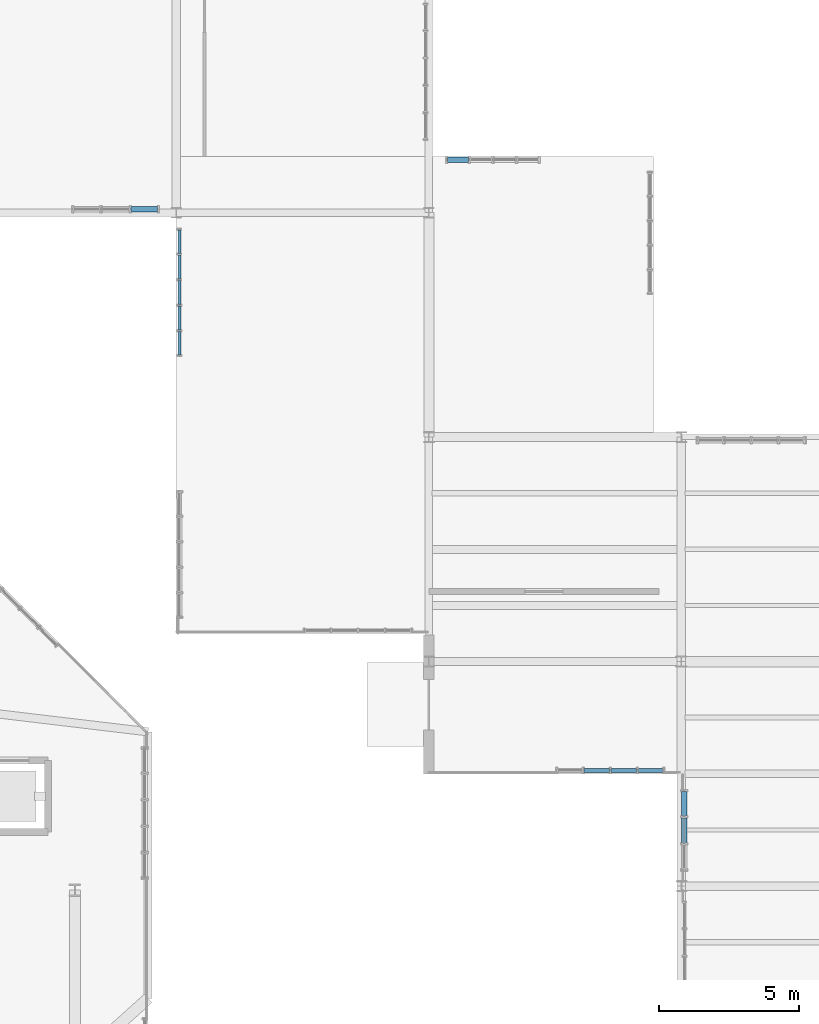
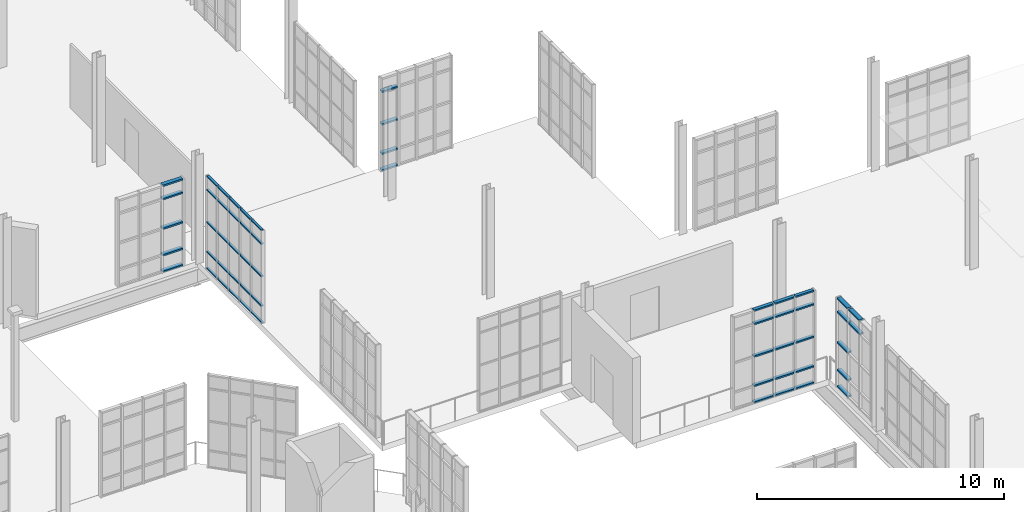
# One storey, part 129 of 189: 56 members, 5 elements without a shape of their own.
"""IFC4 building model written with IfcOpenShell, lengths in metres."""

from ifc_helpers import new_model, si_unit, direction, frame, origin, origin_2d, place, context, subcontext, project, spatial, hollow_rectangle, extrude, material, layer, layer_set, material_profile, profile_set, type_object, element, aggregate, save


model = new_model("IFC4")

# Units and contexts
model_context = context("Model", 3, precision=1e-05, world=origin(), true_north=direction((0.0, 1.0)))
body_context = subcontext(model_context, "Body", "Model", "MODEL_VIEW")
ifc_project = project(units=[si_unit("LENGTHUNIT", "METRE"), si_unit("AREAUNIT", "SQUARE_METRE"), si_unit("VOLUMEUNIT", "CUBIC_METRE"), si_unit("PLANEANGLEUNIT", "RADIAN"), si_unit("MASSUNIT", "GRAM", prefix="KILO"), si_unit("THERMODYNAMICTEMPERATUREUNIT", "KELVIN"), si_unit("POWERUNIT", "WATT")], contexts=[model_context])

# Site, building, storey
site_placement = place(None, origin())
site = spatial("IfcSite", under=ifc_project, at=site_placement, CompositionType="ELEMENT")
building_placement = place(site_placement, origin())
building = spatial("IfcBuilding", under=site, at=building_placement, Name="Zelmaris Science Centre", CompositionType="ELEMENT")
storey_placement = place(building_placement, origin())
storey = spatial("IfcBuildingStorey", under=building, at=storey_placement, Name="L00", CompositionType="ELEMENT", Elevation=0.0)

# Curtain wall, members
ifc_material = material(Name="Anodised architectural aluminium 6063-T6", Category="aluminium")
ifc_layer_1 = layer(ifc_material, 0.219970703125, Name="Anodised architectural aluminium 6063-T6")
ifc_layer_set_1 = layer_set([ifc_layer_1], Name="Anodised architectural aluminium 6063-T6")
curtain_wall_type_1 = type_object("IfcCurtainWallType", Name="Curtain Wall CW-04", PredefinedType="USERDEFINED", material=ifc_layer_set_1)
curtain_wall_1_placement = place(storey_placement, origin())
curtain_wall_1 = element("IfcCurtainWall", 1, at=curtain_wall_1_placement, inside=storey, type_object=curtain_wall_type_1, Name="L00 Unitised curtain wall 76", ObjectType="GLAZED CURTAIN WALL", PredefinedType="USERDEFINED")
ifc_material_profile_1 = material_profile(ifc_material, hollow_rectangle(XDim=0.06005859375, YDim=0.110107421875, WallThickness=0.0029296875, at=origin_2d()), Name="ALU-TRN-60X110")
ifc_profile_set_1 = profile_set([ifc_material_profile_1], Name="Anodised architectural aluminium 6063-T6")
member_type_1 = type_object("IfcMemberType", Name="ALU-TRN-60X110", PredefinedType="USERDEFINED", material=ifc_profile_set_1)
member_1_placement = place(storey_placement, frame((99.115234375, 58.930908203125, 0.010986328125), z_axis=(-0.000293427217, 0.99999995695, 0.0), x_axis=(0.0, 0.0, 1.0)))
member_1 = element("IfcMember", 2, at=member_1_placement, type_object=member_type_1, Name="CW-04 transom 1.1", ObjectType="TRANSOM", PredefinedType="USERDEFINED", context=body_context, shape_type="SweptSolid", body=[
    extrude(hollow_rectangle(XDim=0.06005859375, YDim=0.110107421875, WallThickness=0.0029296875, at=origin_2d()), origin(), (0.0, 0.0, 1.0), 0.83203125),
])
member_2_placement = place(storey_placement, frame((99.115234375, 58.930908203125, 0.8349609375), z_axis=(-0.000293427217, 0.99999995695, 0.0), x_axis=(0.0, 0.0, 1.0)))
member_2 = element("IfcMember", 3, at=member_2_placement, type_object=member_type_1, Name="CW-04 transom 1.2", ObjectType="TRANSOM", PredefinedType="USERDEFINED", context=body_context, shape_type="SweptSolid", body=[
    extrude(hollow_rectangle(XDim=0.06005859375, YDim=0.110107421875, WallThickness=0.0029296875, at=origin_2d()), origin(), (0.0, 0.0, 1.0), 0.83203125),
])
member_3_placement = place(storey_placement, frame((99.115234375, 58.930908203125, 2.29248046875), z_axis=(-0.000293427217, 0.99999995695, 0.0), x_axis=(0.0, 0.0, 1.0)))
member_3 = element("IfcMember", 4, at=member_3_placement, type_object=member_type_1, Name="CW-04 transom 1.3", ObjectType="TRANSOM", PredefinedType="USERDEFINED", context=body_context, shape_type="SweptSolid", body=[
    extrude(hollow_rectangle(XDim=0.06005859375, YDim=0.110107421875, WallThickness=0.0029296875, at=origin_2d()), origin(), (0.0, 0.0, 1.0), 0.83203125),
])
member_4_placement = place(storey_placement, frame((99.115234375, 58.930908203125, 3.89990234375), z_axis=(-0.000293427217, 0.99999995695, 0.0), x_axis=(0.0, 0.0, 1.0)))
member_4 = element("IfcMember", 5, at=member_4_placement, type_object=member_type_1, Name="CW-04 transom 1.4", ObjectType="TRANSOM", PredefinedType="USERDEFINED", context=body_context, shape_type="SweptSolid", body=[
    extrude(hollow_rectangle(XDim=0.06005859375, YDim=0.110107421875, WallThickness=0.0029296875, at=origin_2d()), origin(), (0.0, 0.0, 1.0), 0.83203125),
])
member_5_placement = place(storey_placement, frame((99.115234375, 58.930908203125, 4.573974609375), z_axis=(-0.000293427217, 0.99999995695, 0.0), x_axis=(0.0, 0.0, 1.0)))
member_5 = element("IfcMember", 6, at=member_5_placement, type_object=member_type_1, Name="CW-04 transom 1.5", ObjectType="TRANSOM", PredefinedType="USERDEFINED", context=body_context, shape_type="SweptSolid", body=[
    extrude(hollow_rectangle(XDim=0.06005859375, YDim=0.110107421875, WallThickness=0.0029296875, at=origin_2d()), origin(), (0.0, 0.0, 1.0), 0.83203125),
])
member_6_placement = place(storey_placement, frame((99.11474609375, 59.81494140625, 0.010986328125), z_axis=(-0.00028457597, 0.999999959508, 0.0), x_axis=(0.0, 0.0, 1.0)))
member_6 = element("IfcMember", 7, at=member_6_placement, type_object=member_type_1, Name="CW-04 transom 2.1", ObjectType="TRANSOM", PredefinedType="USERDEFINED", context=body_context, shape_type="SweptSolid", body=[
    extrude(hollow_rectangle(XDim=0.06005859375, YDim=0.110107421875, WallThickness=0.0029296875, at=origin_2d()), origin(), (0.0, 0.0, 1.0), 0.85791015625),
])
member_7_placement = place(storey_placement, frame((99.11474609375, 59.81494140625, 0.8349609375), z_axis=(-0.00028457597, 0.999999959508, 0.0), x_axis=(0.0, 0.0, 1.0)))
member_7 = element("IfcMember", 8, at=member_7_placement, type_object=member_type_1, Name="CW-04 transom 2.2", ObjectType="TRANSOM", PredefinedType="USERDEFINED", context=body_context, shape_type="SweptSolid", body=[
    extrude(hollow_rectangle(XDim=0.06005859375, YDim=0.110107421875, WallThickness=0.0029296875, at=origin_2d()), origin(), (0.0, 0.0, 1.0), 0.85791015625),
])
member_8_placement = place(storey_placement, frame((99.11474609375, 59.81494140625, 2.29248046875), z_axis=(-0.00028457597, 0.999999959508, 0.0), x_axis=(0.0, 0.0, 1.0)))
member_8 = element("IfcMember", 9, at=member_8_placement, type_object=member_type_1, Name="CW-04 transom 2.3", ObjectType="TRANSOM", PredefinedType="USERDEFINED", context=body_context, shape_type="SweptSolid", body=[
    extrude(hollow_rectangle(XDim=0.06005859375, YDim=0.110107421875, WallThickness=0.0029296875, at=origin_2d()), origin(), (0.0, 0.0, 1.0), 0.85791015625),
])
member_9_placement = place(storey_placement, frame((99.11474609375, 59.81494140625, 3.89990234375), z_axis=(-0.00028457597, 0.999999959508, 0.0), x_axis=(0.0, 0.0, 1.0)))
member_9 = element("IfcMember", 10, at=member_9_placement, type_object=member_type_1, Name="CW-04 transom 2.4", ObjectType="TRANSOM", PredefinedType="USERDEFINED", context=body_context, shape_type="SweptSolid", body=[
    extrude(hollow_rectangle(XDim=0.06005859375, YDim=0.110107421875, WallThickness=0.0029296875, at=origin_2d()), origin(), (0.0, 0.0, 1.0), 0.85791015625),
])
member_10_placement = place(storey_placement, frame((99.11474609375, 59.81494140625, 4.573974609375), z_axis=(-0.00028457597, 0.999999959508, 0.0), x_axis=(0.0, 0.0, 1.0)))
member_10 = element("IfcMember", 11, at=member_10_placement, type_object=member_type_1, Name="CW-04 transom 2.5", ObjectType="TRANSOM", PredefinedType="USERDEFINED", context=body_context, shape_type="SweptSolid", body=[
    extrude(hollow_rectangle(XDim=0.06005859375, YDim=0.110107421875, WallThickness=0.0029296875, at=origin_2d()), origin(), (0.0, 0.0, 1.0), 0.85791015625),
])
member_11_placement = place(storey_placement, frame((99.114501953125, 60.724853515625, 0.010986328125), z_axis=(-0.000569313884, 0.999999837941, 0.0), x_axis=(0.0, 0.0, 1.0)))
member_11 = element("IfcMember", 12, at=member_11_placement, type_object=member_type_1, Name="CW-04 transom 3.1", ObjectType="TRANSOM", PredefinedType="USERDEFINED", context=body_context, shape_type="SweptSolid", body=[
    extrude(hollow_rectangle(XDim=0.06005859375, YDim=0.110107421875, WallThickness=0.0029296875, at=origin_2d()), origin(), (0.0, 0.0, 1.0), 0.857666015625),
])
member_12_placement = place(storey_placement, frame((99.114501953125, 60.724853515625, 0.8349609375), z_axis=(-0.000569313884, 0.999999837941, 0.0), x_axis=(0.0, 0.0, 1.0)))
member_12 = element("IfcMember", 13, at=member_12_placement, type_object=member_type_1, Name="CW-04 transom 3.2", ObjectType="TRANSOM", PredefinedType="USERDEFINED", context=body_context, shape_type="SweptSolid", body=[
    extrude(hollow_rectangle(XDim=0.06005859375, YDim=0.110107421875, WallThickness=0.0029296875, at=origin_2d()), origin(), (0.0, 0.0, 1.0), 0.857666015625),
])
member_13_placement = place(storey_placement, frame((99.114501953125, 60.724853515625, 2.29248046875), z_axis=(-0.000569313884, 0.999999837941, 0.0), x_axis=(0.0, 0.0, 1.0)))
member_13 = element("IfcMember", 14, at=member_13_placement, type_object=member_type_1, Name="CW-04 transom 3.3", ObjectType="TRANSOM", PredefinedType="USERDEFINED", context=body_context, shape_type="SweptSolid", body=[
    extrude(hollow_rectangle(XDim=0.06005859375, YDim=0.110107421875, WallThickness=0.0029296875, at=origin_2d()), origin(), (0.0, 0.0, 1.0), 0.857666015625),
])
member_14_placement = place(storey_placement, frame((99.114501953125, 60.724853515625, 3.89990234375), z_axis=(-0.000569313884, 0.999999837941, 0.0), x_axis=(0.0, 0.0, 1.0)))
member_14 = element("IfcMember", 15, at=member_14_placement, type_object=member_type_1, Name="CW-04 transom 3.4", ObjectType="TRANSOM", PredefinedType="USERDEFINED", context=body_context, shape_type="SweptSolid", body=[
    extrude(hollow_rectangle(XDim=0.06005859375, YDim=0.110107421875, WallThickness=0.0029296875, at=origin_2d()), origin(), (0.0, 0.0, 1.0), 0.857666015625),
])
member_15_placement = place(storey_placement, frame((99.114501953125, 60.724853515625, 4.573974609375), z_axis=(-0.000569313884, 0.999999837941, 0.0), x_axis=(0.0, 0.0, 1.0)))
member_15 = element("IfcMember", 16, at=member_15_placement, type_object=member_type_1, Name="CW-04 transom 3.5", ObjectType="TRANSOM", PredefinedType="USERDEFINED", context=body_context, shape_type="SweptSolid", body=[
    extrude(hollow_rectangle(XDim=0.06005859375, YDim=0.110107421875, WallThickness=0.0029296875, at=origin_2d()), origin(), (0.0, 0.0, 1.0), 0.857666015625),
])
member_16_placement = place(storey_placement, frame((99.114013671875, 61.634521484375, 0.010986328125), z_axis=(-0.000569151871, 0.999999838033, 0.0), x_axis=(0.0, 0.0, 1.0)))
member_16 = element("IfcMember", 17, at=member_16_placement, type_object=member_type_1, Name="CW-04 transom 4.1", ObjectType="TRANSOM", PredefinedType="USERDEFINED", context=body_context, shape_type="SweptSolid", body=[
    extrude(hollow_rectangle(XDim=0.06005859375, YDim=0.110107421875, WallThickness=0.0029296875, at=origin_2d()), origin(), (0.0, 0.0, 1.0), 0.85791015625),
])
member_17_placement = place(storey_placement, frame((99.114013671875, 61.634521484375, 0.8349609375), z_axis=(-0.000569151871, 0.999999838033, 0.0), x_axis=(0.0, 0.0, 1.0)))
member_17 = element("IfcMember", 18, at=member_17_placement, type_object=member_type_1, Name="CW-04 transom 4.2", ObjectType="TRANSOM", PredefinedType="USERDEFINED", context=body_context, shape_type="SweptSolid", body=[
    extrude(hollow_rectangle(XDim=0.06005859375, YDim=0.110107421875, WallThickness=0.0029296875, at=origin_2d()), origin(), (0.0, 0.0, 1.0), 0.85791015625),
])
member_18_placement = place(storey_placement, frame((99.114013671875, 61.634521484375, 2.29248046875), z_axis=(-0.000569151871, 0.999999838033, 0.0), x_axis=(0.0, 0.0, 1.0)))
member_18 = element("IfcMember", 19, at=member_18_placement, type_object=member_type_1, Name="CW-04 transom 4.3", ObjectType="TRANSOM", PredefinedType="USERDEFINED", context=body_context, shape_type="SweptSolid", body=[
    extrude(hollow_rectangle(XDim=0.06005859375, YDim=0.110107421875, WallThickness=0.0029296875, at=origin_2d()), origin(), (0.0, 0.0, 1.0), 0.85791015625),
])
member_19_placement = place(storey_placement, frame((99.114013671875, 61.634521484375, 3.89990234375), z_axis=(-0.000569151871, 0.999999838033, 0.0), x_axis=(0.0, 0.0, 1.0)))
member_19 = element("IfcMember", 20, at=member_19_placement, type_object=member_type_1, Name="CW-04 transom 4.4", ObjectType="TRANSOM", PredefinedType="USERDEFINED", context=body_context, shape_type="SweptSolid", body=[
    extrude(hollow_rectangle(XDim=0.06005859375, YDim=0.110107421875, WallThickness=0.0029296875, at=origin_2d()), origin(), (0.0, 0.0, 1.0), 0.85791015625),
])
member_20_placement = place(storey_placement, frame((99.114013671875, 61.634521484375, 4.573974609375), z_axis=(-0.000569151871, 0.999999838033, 0.0), x_axis=(0.0, 0.0, 1.0)))
member_20 = element("IfcMember", 21, at=member_20_placement, type_object=member_type_1, Name="CW-04 transom 4.5", ObjectType="TRANSOM", PredefinedType="USERDEFINED", context=body_context, shape_type="SweptSolid", body=[
    extrude(hollow_rectangle(XDim=0.06005859375, YDim=0.110107421875, WallThickness=0.0029296875, at=origin_2d()), origin(), (0.0, 0.0, 1.0), 0.85791015625),
])
member_21_placement = place(storey_placement, frame((99.113525390625, 62.54443359375, 0.010986328125), z_axis=(-0.000293427217, 0.99999995695, 0.0), x_axis=(0.0, 0.0, 1.0)))
member_21 = element("IfcMember", 22, at=member_21_placement, type_object=member_type_1, Name="CW-04 transom 5.1", ObjectType="TRANSOM", PredefinedType="USERDEFINED", context=body_context, shape_type="SweptSolid", body=[
    extrude(hollow_rectangle(XDim=0.06005859375, YDim=0.110107421875, WallThickness=0.0029296875, at=origin_2d()), origin(), (0.0, 0.0, 1.0), 0.83203125),
])
member_22_placement = place(storey_placement, frame((99.113525390625, 62.54443359375, 0.8349609375), z_axis=(-0.000293427217, 0.99999995695, 0.0), x_axis=(0.0, 0.0, 1.0)))
member_22 = element("IfcMember", 23, at=member_22_placement, type_object=member_type_1, Name="CW-04 transom 5.2", ObjectType="TRANSOM", PredefinedType="USERDEFINED", context=body_context, shape_type="SweptSolid", body=[
    extrude(hollow_rectangle(XDim=0.06005859375, YDim=0.110107421875, WallThickness=0.0029296875, at=origin_2d()), origin(), (0.0, 0.0, 1.0), 0.83203125),
])
member_23_placement = place(storey_placement, frame((99.113525390625, 62.54443359375, 2.29248046875), z_axis=(-0.000293427217, 0.99999995695, 0.0), x_axis=(0.0, 0.0, 1.0)))
member_23 = element("IfcMember", 24, at=member_23_placement, type_object=member_type_1, Name="CW-04 transom 5.3", ObjectType="TRANSOM", PredefinedType="USERDEFINED", context=body_context, shape_type="SweptSolid", body=[
    extrude(hollow_rectangle(XDim=0.06005859375, YDim=0.110107421875, WallThickness=0.0029296875, at=origin_2d()), origin(), (0.0, 0.0, 1.0), 0.83203125),
])
member_24_placement = place(storey_placement, frame((99.113525390625, 62.54443359375, 3.89990234375), z_axis=(-0.000293427217, 0.99999995695, 0.0), x_axis=(0.0, 0.0, 1.0)))
member_24 = element("IfcMember", 25, at=member_24_placement, type_object=member_type_1, Name="CW-04 transom 5.4", ObjectType="TRANSOM", PredefinedType="USERDEFINED", context=body_context, shape_type="SweptSolid", body=[
    extrude(hollow_rectangle(XDim=0.06005859375, YDim=0.110107421875, WallThickness=0.0029296875, at=origin_2d()), origin(), (0.0, 0.0, 1.0), 0.83203125),
])
member_25_placement = place(storey_placement, frame((99.113525390625, 62.54443359375, 4.573974609375), z_axis=(-0.000293427217, 0.99999995695, 0.0), x_axis=(0.0, 0.0, 1.0)))
member_25 = element("IfcMember", 26, at=member_25_placement, type_object=member_type_1, Name="CW-04 transom 5.5", ObjectType="TRANSOM", PredefinedType="USERDEFINED", context=body_context, shape_type="SweptSolid", body=[
    extrude(hollow_rectangle(XDim=0.06005859375, YDim=0.110107421875, WallThickness=0.0029296875, at=origin_2d()), origin(), (0.0, 0.0, 1.0), 0.83203125),
])
aggregate(curtain_wall_1, [member_1, member_2, member_3, member_4, member_5, member_6, member_7, member_8, member_9, member_10, member_11, member_12, member_13, member_14, member_15, member_16, member_17, member_18, member_19, member_20, member_21, member_22, member_23, member_24, member_25])

ifc_layer_2 = layer(ifc_material, 0.199951171875, Name="Anodised architectural aluminium 6063-T6")
ifc_layer_set_2 = layer_set([ifc_layer_2], Name="Anodised architectural aluminium 6063-T6")
curtain_wall_type_2 = type_object("IfcCurtainWallType", Name="Curtain Wall CW-02", PredefinedType="USERDEFINED", material=ifc_layer_set_2)
curtain_wall_2_placement = place(storey_placement, origin())
curtain_wall_2 = element("IfcCurtainWall", 27, at=curtain_wall_2_placement, inside=storey, type_object=curtain_wall_type_2, Name="L00 Unitised curtain wall 70", ObjectType="GLAZED CURTAIN WALL", PredefinedType="USERDEFINED")
ifc_material_profile_2 = material_profile(ifc_material, hollow_rectangle(XDim=0.074951171875, YDim=0.159912109375, WallThickness=0.00390625, at=origin_2d()), Name="ALU-TRN-75X160")
ifc_profile_set_2 = profile_set([ifc_material_profile_2], Name="Anodised architectural aluminium 6063-T6")
member_type_2 = type_object("IfcMemberType", Name="ALU-TRN-75X160", PredefinedType="USERDEFINED", material=ifc_profile_set_2)
member_26_placement = place(storey_placement, frame((116.3330078125, 44.1201171875, 0.0185546875), z_axis=(-1.0, 0.0, 0.0), x_axis=(0.0, 0.0, 1.0)))
member_26 = element("IfcMember", 28, at=member_26_placement, type_object=member_type_2, Name="CW-02 transom 1.1", ObjectType="TRANSOM", PredefinedType="USERDEFINED", context=body_context, shape_type="SweptSolid", body=[
    extrude(hollow_rectangle(XDim=0.074951171875, YDim=0.159912109375, WallThickness=0.00390625, at=origin_2d()), origin(), (0.0, 0.0, 1.0), 0.866943359375),
])
member_27_placement = place(storey_placement, frame((116.3330078125, 44.1201171875, 0.8349609375), z_axis=(-1.0, 0.0, 0.0), x_axis=(0.0, 0.0, 1.0)))
member_27 = element("IfcMember", 29, at=member_27_placement, type_object=member_type_2, Name="CW-02 transom 1.2", ObjectType="TRANSOM", PredefinedType="USERDEFINED", context=body_context, shape_type="SweptSolid", body=[
    extrude(hollow_rectangle(XDim=0.074951171875, YDim=0.159912109375, WallThickness=0.00390625, at=origin_2d()), origin(), (0.0, 0.0, 1.0), 0.866943359375),
])
member_28_placement = place(storey_placement, frame((116.3330078125, 44.1201171875, 2.29248046875), z_axis=(-1.0, 0.0, 0.0), x_axis=(0.0, 0.0, 1.0)))
member_28 = element("IfcMember", 30, at=member_28_placement, type_object=member_type_2, Name="CW-02 transom 1.3", ObjectType="TRANSOM", PredefinedType="USERDEFINED", context=body_context, shape_type="SweptSolid", body=[
    extrude(hollow_rectangle(XDim=0.074951171875, YDim=0.159912109375, WallThickness=0.00390625, at=origin_2d()), origin(), (0.0, 0.0, 1.0), 0.866943359375),
])
member_29_placement = place(storey_placement, frame((116.3330078125, 44.1201171875, 3.89990234375), z_axis=(-1.0, 0.0, 0.0), x_axis=(0.0, 0.0, 1.0)))
member_29 = element("IfcMember", 31, at=member_29_placement, type_object=member_type_2, Name="CW-02 transom 1.4", ObjectType="TRANSOM", PredefinedType="USERDEFINED", context=body_context, shape_type="SweptSolid", body=[
    extrude(hollow_rectangle(XDim=0.074951171875, YDim=0.159912109375, WallThickness=0.00390625, at=origin_2d()), origin(), (0.0, 0.0, 1.0), 0.866943359375),
])
member_30_placement = place(storey_placement, frame((116.3330078125, 44.1201171875, 4.56640625), z_axis=(-1.0, 0.0, 0.0), x_axis=(0.0, 0.0, 1.0)))
member_30 = element("IfcMember", 32, at=member_30_placement, type_object=member_type_2, Name="CW-02 transom 1.5", ObjectType="TRANSOM", PredefinedType="USERDEFINED", context=body_context, shape_type="SweptSolid", body=[
    extrude(hollow_rectangle(XDim=0.074951171875, YDim=0.159912109375, WallThickness=0.00390625, at=origin_2d()), origin(), (0.0, 0.0, 1.0), 0.866943359375),
])
member_31_placement = place(storey_placement, frame((115.39892578125, 44.1201171875, 0.0185546875), z_axis=(-1.0, 0.0, 0.0), x_axis=(0.0, 0.0, 1.0)))
member_31 = element("IfcMember", 33, at=member_31_placement, type_object=member_type_2, Name="CW-02 transom 2.1", ObjectType="TRANSOM", PredefinedType="USERDEFINED", context=body_context, shape_type="SweptSolid", body=[
    extrude(hollow_rectangle(XDim=0.074951171875, YDim=0.159912109375, WallThickness=0.00390625, at=origin_2d()), origin(), (0.0, 0.0, 1.0), 0.900390625),
])
member_32_placement = place(storey_placement, frame((115.39892578125, 44.1201171875, 0.8349609375), z_axis=(-1.0, 0.0, 0.0), x_axis=(0.0, 0.0, 1.0)))
member_32 = element("IfcMember", 34, at=member_32_placement, type_object=member_type_2, Name="CW-02 transom 2.2", ObjectType="TRANSOM", PredefinedType="USERDEFINED", context=body_context, shape_type="SweptSolid", body=[
    extrude(hollow_rectangle(XDim=0.074951171875, YDim=0.159912109375, WallThickness=0.00390625, at=origin_2d()), origin(), (0.0, 0.0, 1.0), 0.900390625),
])
member_33_placement = place(storey_placement, frame((115.39892578125, 44.1201171875, 2.29248046875), z_axis=(-1.0, 0.0, 0.0), x_axis=(0.0, 0.0, 1.0)))
member_33 = element("IfcMember", 35, at=member_33_placement, type_object=member_type_2, Name="CW-02 transom 2.3", ObjectType="TRANSOM", PredefinedType="USERDEFINED", context=body_context, shape_type="SweptSolid", body=[
    extrude(hollow_rectangle(XDim=0.074951171875, YDim=0.159912109375, WallThickness=0.00390625, at=origin_2d()), origin(), (0.0, 0.0, 1.0), 0.900390625),
])
member_34_placement = place(storey_placement, frame((115.39892578125, 44.1201171875, 3.89990234375), z_axis=(-1.0, 0.0, 0.0), x_axis=(0.0, 0.0, 1.0)))
member_34 = element("IfcMember", 36, at=member_34_placement, type_object=member_type_2, Name="CW-02 transom 2.4", ObjectType="TRANSOM", PredefinedType="USERDEFINED", context=body_context, shape_type="SweptSolid", body=[
    extrude(hollow_rectangle(XDim=0.074951171875, YDim=0.159912109375, WallThickness=0.00390625, at=origin_2d()), origin(), (0.0, 0.0, 1.0), 0.900390625),
])
member_35_placement = place(storey_placement, frame((115.39892578125, 44.1201171875, 4.56640625), z_axis=(-1.0, 0.0, 0.0), x_axis=(0.0, 0.0, 1.0)))
member_35 = element("IfcMember", 37, at=member_35_placement, type_object=member_type_2, Name="CW-02 transom 2.5", ObjectType="TRANSOM", PredefinedType="USERDEFINED", context=body_context, shape_type="SweptSolid", body=[
    extrude(hollow_rectangle(XDim=0.074951171875, YDim=0.159912109375, WallThickness=0.00390625, at=origin_2d()), origin(), (0.0, 0.0, 1.0), 0.900390625),
])
member_36_placement = place(storey_placement, frame((114.431396484375, 44.1201171875, 0.0185546875), z_axis=(-1.0, 0.0, 0.0), x_axis=(0.0, 0.0, 1.0)))
member_36 = element("IfcMember", 38, at=member_36_placement, type_object=member_type_2, Name="CW-02 transom 3.1", ObjectType="TRANSOM", PredefinedType="USERDEFINED", context=body_context, shape_type="SweptSolid", body=[
    extrude(hollow_rectangle(XDim=0.074951171875, YDim=0.159912109375, WallThickness=0.00390625, at=origin_2d()), origin(), (0.0, 0.0, 1.0), 0.900390625),
])
member_37_placement = place(storey_placement, frame((114.431396484375, 44.1201171875, 0.8349609375), z_axis=(-1.0, 0.0, 0.0), x_axis=(0.0, 0.0, 1.0)))
member_37 = element("IfcMember", 39, at=member_37_placement, type_object=member_type_2, Name="CW-02 transom 3.2", ObjectType="TRANSOM", PredefinedType="USERDEFINED", context=body_context, shape_type="SweptSolid", body=[
    extrude(hollow_rectangle(XDim=0.074951171875, YDim=0.159912109375, WallThickness=0.00390625, at=origin_2d()), origin(), (0.0, 0.0, 1.0), 0.900390625),
])
member_38_placement = place(storey_placement, frame((114.431396484375, 44.1201171875, 2.29248046875), z_axis=(-1.0, 0.0, 0.0), x_axis=(0.0, 0.0, 1.0)))
member_38 = element("IfcMember", 40, at=member_38_placement, type_object=member_type_2, Name="CW-02 transom 3.3", ObjectType="TRANSOM", PredefinedType="USERDEFINED", context=body_context, shape_type="SweptSolid", body=[
    extrude(hollow_rectangle(XDim=0.074951171875, YDim=0.159912109375, WallThickness=0.00390625, at=origin_2d()), origin(), (0.0, 0.0, 1.0), 0.900390625),
])
member_39_placement = place(storey_placement, frame((114.431396484375, 44.1201171875, 3.89990234375), z_axis=(-1.0, 0.0, 0.0), x_axis=(0.0, 0.0, 1.0)))
member_39 = element("IfcMember", 41, at=member_39_placement, type_object=member_type_2, Name="CW-02 transom 3.4", ObjectType="TRANSOM", PredefinedType="USERDEFINED", context=body_context, shape_type="SweptSolid", body=[
    extrude(hollow_rectangle(XDim=0.074951171875, YDim=0.159912109375, WallThickness=0.00390625, at=origin_2d()), origin(), (0.0, 0.0, 1.0), 0.900390625),
])
member_40_placement = place(storey_placement, frame((114.431396484375, 44.1201171875, 4.56640625), z_axis=(-1.0, 0.0, 0.0), x_axis=(0.0, 0.0, 1.0)))
member_40 = element("IfcMember", 42, at=member_40_placement, type_object=member_type_2, Name="CW-02 transom 3.5", ObjectType="TRANSOM", PredefinedType="USERDEFINED", context=body_context, shape_type="SweptSolid", body=[
    extrude(hollow_rectangle(XDim=0.074951171875, YDim=0.159912109375, WallThickness=0.00390625, at=origin_2d()), origin(), (0.0, 0.0, 1.0), 0.900390625),
])
aggregate(curtain_wall_2, [member_26, member_27, member_28, member_29, member_30, member_31, member_32, member_33, member_34, member_35, member_36, member_37, member_38, member_39, member_40])

ifc_layer_3 = layer(ifc_material, 0.18994140625, Name="Anodised architectural aluminium 6063-T6")
ifc_layer_set_3 = layer_set([ifc_layer_3], Name="Anodised architectural aluminium 6063-T6")
curtain_wall_type_3 = type_object("IfcCurtainWallType", Name="Curtain Wall CW-01", PredefinedType="USERDEFINED", material=ifc_layer_set_3)
curtain_wall_3_placement = place(storey_placement, origin())
curtain_wall_3 = element("IfcCurtainWall", 43, at=curtain_wall_3_placement, inside=storey, type_object=curtain_wall_type_3, Name="L00 Unitised curtain wall 69", ObjectType="GLAZED CURTAIN WALL", PredefinedType="USERDEFINED")
ifc_material_profile_3 = material_profile(ifc_material, hollow_rectangle(XDim=0.080078125, YDim=0.18994140625, WallThickness=0.00439453125, at=origin_2d()), Name="ALU-TRN-80X190")
ifc_profile_set_3 = profile_set([ifc_material_profile_3], Name="Anodised architectural aluminium 6063-T6")
member_type_3 = type_object("IfcMemberType", Name="ALU-TRN-80X190", PredefinedType="USERDEFINED", material=ifc_profile_set_3)
member_41_placement = place(storey_placement, frame((117.107177734375, 41.5419921875, 3.70703125), z_axis=(-0.000273074812, 0.999999962715, 0.0), x_axis=(0.0, 0.0, 1.0)))
member_41 = element("IfcMember", 44, at=member_41_placement, type_object=member_type_3, Name="CW-01 transom 2.4", ObjectType="TRANSOM", PredefinedType="USERDEFINED", context=body_context, shape_type="SweptSolid", body=[
    extrude(hollow_rectangle(XDim=0.080078125, YDim=0.18994140625, WallThickness=0.00439453125, at=origin_2d()), origin(), (0.0, 0.0, 1.0), 0.89404296875),
])
member_42_placement = place(storey_placement, frame((117.107177734375, 41.5419921875, 4.37109375), z_axis=(-0.000273074812, 0.999999962715, 0.0), x_axis=(0.0, 0.0, 1.0)))
member_42 = element("IfcMember", 45, at=member_42_placement, type_object=member_type_3, Name="CW-01 transom 2.5", ObjectType="TRANSOM", PredefinedType="USERDEFINED", context=body_context, shape_type="SweptSolid", body=[
    extrude(hollow_rectangle(XDim=0.080078125, YDim=0.18994140625, WallThickness=0.00439453125, at=origin_2d()), origin(), (0.0, 0.0, 1.0), 0.89404296875),
])
member_43_placement = place(storey_placement, frame((117.10693359375, 42.508056640625, 0.02099609375), z_axis=(-0.00028449501, 0.999999959531, 0.0), x_axis=(0.0, 0.0, 1.0)))
member_43 = element("IfcMember", 46, at=member_43_placement, type_object=member_type_3, Name="CW-01 transom 3.1", ObjectType="TRANSOM", PredefinedType="USERDEFINED", context=body_context, shape_type="SweptSolid", body=[
    extrude(hollow_rectangle(XDim=0.080078125, YDim=0.18994140625, WallThickness=0.00439453125, at=origin_2d()), origin(), (0.0, 0.0, 1.0), 0.858154296875),
])
member_44_placement = place(storey_placement, frame((117.10693359375, 42.508056640625, 0.8349609375), z_axis=(-0.00028449501, 0.999999959531, 0.0), x_axis=(0.0, 0.0, 1.0)))
member_44 = element("IfcMember", 47, at=member_44_placement, type_object=member_type_3, Name="CW-01 transom 3.2", ObjectType="TRANSOM", PredefinedType="USERDEFINED", context=body_context, shape_type="SweptSolid", body=[
    extrude(hollow_rectangle(XDim=0.080078125, YDim=0.18994140625, WallThickness=0.00439453125, at=origin_2d()), origin(), (0.0, 0.0, 1.0), 0.858154296875),
])
member_45_placement = place(storey_placement, frame((117.10693359375, 42.508056640625, 2.196044921875), z_axis=(-0.00028449501, 0.999999959531, 0.0), x_axis=(0.0, 0.0, 1.0)))
member_45 = element("IfcMember", 48, at=member_45_placement, type_object=member_type_3, Name="CW-01 transom 3.3", ObjectType="TRANSOM", PredefinedType="USERDEFINED", context=body_context, shape_type="SweptSolid", body=[
    extrude(hollow_rectangle(XDim=0.080078125, YDim=0.18994140625, WallThickness=0.00439453125, at=origin_2d()), origin(), (0.0, 0.0, 1.0), 0.858154296875),
])
member_46_placement = place(storey_placement, frame((117.10693359375, 42.508056640625, 3.70703125), z_axis=(-0.00028449501, 0.999999959531, 0.0), x_axis=(0.0, 0.0, 1.0)))
member_46 = element("IfcMember", 49, at=member_46_placement, type_object=member_type_3, Name="CW-01 transom 3.4", ObjectType="TRANSOM", PredefinedType="USERDEFINED", context=body_context, shape_type="SweptSolid", body=[
    extrude(hollow_rectangle(XDim=0.080078125, YDim=0.18994140625, WallThickness=0.00439453125, at=origin_2d()), origin(), (0.0, 0.0, 1.0), 0.858154296875),
])
member_47_placement = place(storey_placement, frame((117.10693359375, 42.508056640625, 4.37109375), z_axis=(-0.00028449501, 0.999999959531, 0.0), x_axis=(0.0, 0.0, 1.0)))
member_47 = element("IfcMember", 50, at=member_47_placement, type_object=member_type_3, Name="CW-01 transom 3.5", ObjectType="TRANSOM", PredefinedType="USERDEFINED", context=body_context, shape_type="SweptSolid", body=[
    extrude(hollow_rectangle(XDim=0.080078125, YDim=0.18994140625, WallThickness=0.00439453125, at=origin_2d()), origin(), (0.0, 0.0, 1.0), 0.858154296875),
])
aggregate(curtain_wall_3, [member_41, member_42, member_43, member_44, member_45, member_46, member_47])

curtain_wall_4_placement = place(storey_placement, origin())
curtain_wall_4 = element("IfcCurtainWall", 51, at=curtain_wall_4_placement, inside=storey, type_object=curtain_wall_type_3, Name="L00 Unitised curtain wall 77", ObjectType="GLAZED CURTAIN WALL", PredefinedType="USERDEFINED")
member_48_placement = place(storey_placement, frame((98.327880859375, 64.1201171875, 0.02099609375), z_axis=(-1.0, 0.0, 0.0), x_axis=(0.0, 0.0, 1.0)))
member_48 = element("IfcMember", 52, at=member_48_placement, type_object=member_type_3, Name="CW-01 transom 1.1", ObjectType="TRANSOM", PredefinedType="USERDEFINED", context=body_context, shape_type="SweptSolid", body=[
    extrude(hollow_rectangle(XDim=0.080078125, YDim=0.18994140625, WallThickness=0.00439453125, at=origin_2d()), origin(), (0.0, 0.0, 1.0), 0.931884765625),
])
member_49_placement = place(storey_placement, frame((98.327880859375, 64.1201171875, 0.8349609375), z_axis=(-1.0, 0.0, 0.0), x_axis=(0.0, 0.0, 1.0)))
member_49 = element("IfcMember", 53, at=member_49_placement, type_object=member_type_3, Name="CW-01 transom 1.2", ObjectType="TRANSOM", PredefinedType="USERDEFINED", context=body_context, shape_type="SweptSolid", body=[
    extrude(hollow_rectangle(XDim=0.080078125, YDim=0.18994140625, WallThickness=0.00439453125, at=origin_2d()), origin(), (0.0, 0.0, 1.0), 0.931884765625),
])
member_50_placement = place(storey_placement, frame((98.327880859375, 64.1201171875, 2.146484375), z_axis=(-1.0, 0.0, 0.0), x_axis=(0.0, 0.0, 1.0)))
member_50 = element("IfcMember", 54, at=member_50_placement, type_object=member_type_3, Name="CW-01 transom 1.3", ObjectType="TRANSOM", PredefinedType="USERDEFINED", context=body_context, shape_type="SweptSolid", body=[
    extrude(hollow_rectangle(XDim=0.080078125, YDim=0.18994140625, WallThickness=0.00439453125, at=origin_2d()), origin(), (0.0, 0.0, 1.0), 0.931884765625),
])
member_51_placement = place(storey_placement, frame((98.327880859375, 64.1201171875, 3.60791015625), z_axis=(-1.0, 0.0, 0.0), x_axis=(0.0, 0.0, 1.0)))
member_51 = element("IfcMember", 55, at=member_51_placement, type_object=member_type_3, Name="CW-01 transom 1.4", ObjectType="TRANSOM", PredefinedType="USERDEFINED", context=body_context, shape_type="SweptSolid", body=[
    extrude(hollow_rectangle(XDim=0.080078125, YDim=0.18994140625, WallThickness=0.00439453125, at=origin_2d()), origin(), (0.0, 0.0, 1.0), 0.931884765625),
])
member_52_placement = place(storey_placement, frame((98.327880859375, 64.1201171875, 4.27197265625), z_axis=(-1.0, 0.0, 0.0), x_axis=(0.0, 0.0, 1.0)))
member_52 = element("IfcMember", 56, at=member_52_placement, type_object=member_type_3, Name="CW-01 transom 1.5", ObjectType="TRANSOM", PredefinedType="USERDEFINED", context=body_context, shape_type="SweptSolid", body=[
    extrude(hollow_rectangle(XDim=0.080078125, YDim=0.18994140625, WallThickness=0.00439453125, at=origin_2d()), origin(), (0.0, 0.0, 1.0), 0.931884765625),
])
aggregate(curtain_wall_4, [member_48, member_49, member_50, member_51, member_52])

curtain_wall_5_placement = place(storey_placement, origin())
curtain_wall_5 = element("IfcCurtainWall", 57, at=curtain_wall_5_placement, inside=storey, type_object=curtain_wall_type_3, Name="L00 Unitised curtain wall 89", ObjectType="GLAZED CURTAIN WALL", PredefinedType="USERDEFINED")
member_53_placement = place(storey_placement, frame((108.672119140625, 65.8798828125, 0.02099609375), z_axis=(1.0, 0.0, 0.0), x_axis=(0.0, 0.0, 1.0)))
member_53 = element("IfcMember", 58, at=member_53_placement, type_object=member_type_3, Name="CW-01 transom 1.1", ObjectType="TRANSOM", PredefinedType="USERDEFINED", context=body_context, shape_type="SweptSolid", body=[
    extrude(hollow_rectangle(XDim=0.080078125, YDim=0.18994140625, WallThickness=0.00439453125, at=origin_2d()), origin(), (0.0, 0.0, 1.0), 0.734375),
])
member_54_placement = place(storey_placement, frame((108.672119140625, 65.8798828125, 0.8349609375), z_axis=(1.0, 0.0, 0.0), x_axis=(0.0, 0.0, 1.0)))
member_54 = element("IfcMember", 59, at=member_54_placement, type_object=member_type_3, Name="CW-01 transom 1.2", ObjectType="TRANSOM", PredefinedType="USERDEFINED", context=body_context, shape_type="SweptSolid", body=[
    extrude(hollow_rectangle(XDim=0.080078125, YDim=0.18994140625, WallThickness=0.00439453125, at=origin_2d()), origin(), (0.0, 0.0, 1.0), 0.734375),
])
member_55_placement = place(storey_placement, frame((108.672119140625, 65.8798828125, 2.29248046875), z_axis=(1.0, 0.0, 0.0), x_axis=(0.0, 0.0, 1.0)))
member_55 = element("IfcMember", 60, at=member_55_placement, type_object=member_type_3, Name="CW-01 transom 1.3", ObjectType="TRANSOM", PredefinedType="USERDEFINED", context=body_context, shape_type="SweptSolid", body=[
    extrude(hollow_rectangle(XDim=0.080078125, YDim=0.18994140625, WallThickness=0.00439453125, at=origin_2d()), origin(), (0.0, 0.0, 1.0), 0.734375),
])
member_56_placement = place(storey_placement, frame((108.672119140625, 65.8798828125, 3.89990234375), z_axis=(1.0, 0.0, 0.0), x_axis=(0.0, 0.0, 1.0)))
member_56 = element("IfcMember", 61, at=member_56_placement, type_object=member_type_3, Name="CW-01 transom 1.4", ObjectType="TRANSOM", PredefinedType="USERDEFINED", context=body_context, shape_type="SweptSolid", body=[
    extrude(hollow_rectangle(XDim=0.080078125, YDim=0.18994140625, WallThickness=0.00439453125, at=origin_2d()), origin(), (0.0, 0.0, 1.0), 0.734375),
])
aggregate(curtain_wall_5, [member_53, member_54, member_55, member_56])

save(model, "model.ifc")
